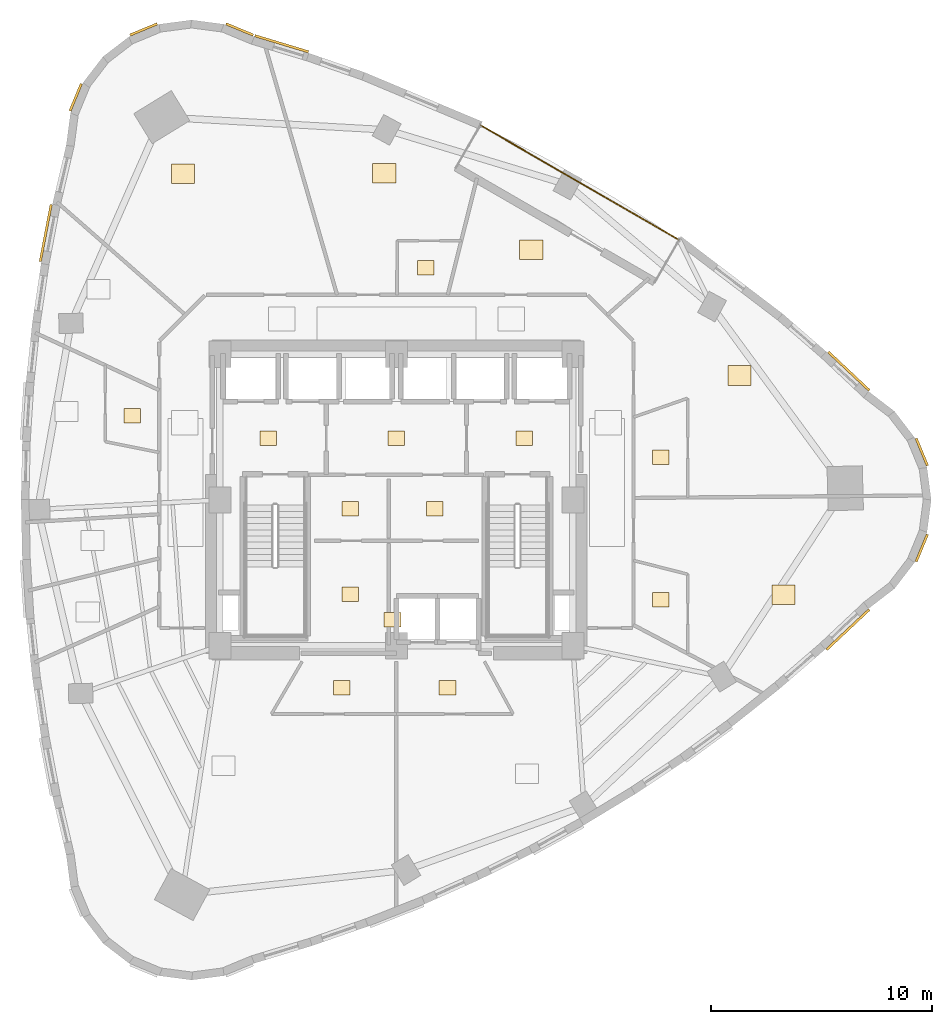
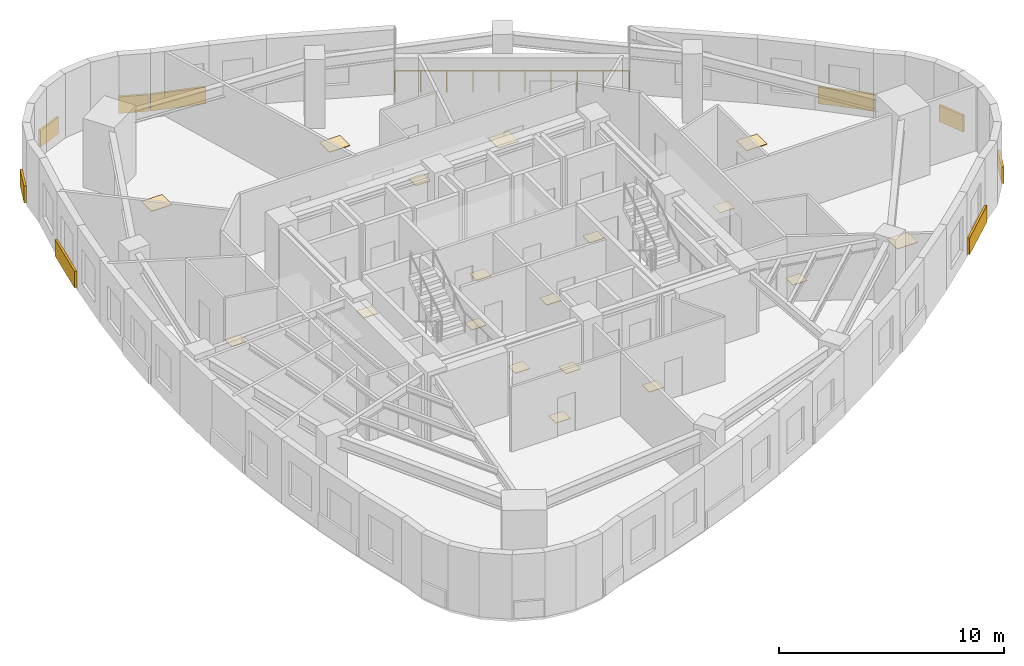
# One storey, part 13 of 13: 27 coverings, 1 railing.
"""IFC4 building model written with IfcOpenShell, lengths in metres."""

from ifc_helpers import new_model, si_unit, direction, frame, origin, origin_2d, place, context, subcontext, project, spatial, rectangle, circle, extrude, material, layer, layer_set, type_object, element, save


model = new_model("IFC4")

# Units and contexts
model_context = context("Model", 3, precision=1e-05, world=origin(), true_north=direction((0.0, 1.0)))
body_context = subcontext(model_context, "Body", "Model", "MODEL_VIEW")
ifc_project = project(units=[si_unit("LENGTHUNIT", "METRE"), si_unit("AREAUNIT", "SQUARE_METRE"), si_unit("VOLUMEUNIT", "CUBIC_METRE"), si_unit("PLANEANGLEUNIT", "RADIAN"), si_unit("MASSUNIT", "GRAM", prefix="KILO")], contexts=[model_context])

# Site, building, storey
site_placement = place(None, origin())
site = spatial("IfcSite", under=ifc_project, at=site_placement, CompositionType="ELEMENT")
building_placement = place(site_placement, origin())
building = spatial("IfcBuilding", under=site, at=building_placement, Name="Ndelora Gate Hotel", CompositionType="ELEMENT")
storey_placement = place(building_placement, frame((0.0, 0.0, 123.5)))
storey = spatial("IfcBuildingStorey", under=building, at=storey_placement, Name="L30", CompositionType="ELEMENT", Elevation=123.5)

# Coverings
ifc_material_1 = material(Name="Terracotta Fired Clay Brick Slip Cladding", Category="masonry")
ifc_layer_1 = layer(ifc_material_1, 0.110107421875)
ifc_layer_set_1 = layer_set([ifc_layer_1], Name="Terracotta Fired Clay Brick Slip Cladding")
covering_type_1 = type_object("IfcCoveringType", Name="COV-CLAD-BRK", PredefinedType="CLADDING", material=ifc_layer_set_1)
for number, where, z_axis, x_axis, name in (
    (1, (-7.104248046875, 21.327392578125, 0.10009765625), (0.0, 0.0, 1.0), (-0.923879532511, 0.382683432365, 0.0), "L30 Rounded-Corner Brick Cladding Band 1"),
    (2, (-11.456298828125, 21.327392578125, 0.10009765625), (0.0, 0.0, 1.0), (0.923879532511, 0.382683432365, 0.0), "L30 Rounded-Corner Brick Cladding Band 4"),
    (3, (-14.53369140625, 18.249755859375, 0.10009765625), (0.0, 0.0, 1.0), (0.382683432365, 0.923879532511, 0.0), "L30 Rounded-Corner Brick Cladding Band 7"),
):
    element("IfcCovering", number, at=place(storey_placement, frame(where, z_axis=z_axis, x_axis=x_axis)), inside=storey, type_object=covering_type_1, Name=name, PredefinedType="CLADDING", context=body_context, shape_type="SweptSolid", body=[
        extrude(rectangle(XDim=1.3359375, YDim=0.110107421875, at=origin_2d()), origin(), (0.0, 0.0, 1.0), 0.89990234375),
    ])
covering_1_placement = place(storey_placement, frame((-15.89208984375, 12.09912109375, 0.10009765625), z_axis=(0.0, 0.0, 1.0), x_axis=(0.187895613278, 0.982189003456, 0.0)))
element("IfcCovering", 4, at=covering_1_placement, inside=storey, type_object=covering_type_1, Name="L30 Rounded-Corner Brick Cladding Band 10", PredefinedType="CLADDING", context=body_context, shape_type="SweptSolid", body=[
    extrude(rectangle(XDim=2.6279296875, YDim=0.110107421875, at=origin_2d()), origin(), (0.0, 0.0, 1.0), 0.89990234375),
])
covering_2_placement = place(storey_placement, frame((20.466552734375, -5.87451171875, 0.10009765625), z_axis=(0.0, 0.0, 1.0), x_axis=(0.729446353773, 0.684038023042, 0.0)))
element("IfcCovering", 5, at=covering_2_placement, inside=storey, type_object=covering_type_1, Name="L30 Rounded-Corner Brick Cladding Band 40", PredefinedType="CLADDING", context=body_context, shape_type="SweptSolid", body=[
    extrude(rectangle(XDim=2.65087890625, YDim=0.110107421875, at=origin_2d()), origin(), (0.0, 0.0, 1.0), 0.89990234375),
])
for number, where, z_axis, x_axis, name in (
    (6, (23.81396484375, -2.176025390625, 0.10009765625), (0.0, 0.0, 1.0), (0.382683432365, 0.923879532511, 0.0), "L30 Rounded-Corner Brick Cladding Band 43"),
    (7, (23.81396484375, 2.176025390625, 0.10009765625), (0.0, 0.0, 1.0), (-0.382683432365, 0.923879532511, 0.0), "L30 Rounded-Corner Brick Cladding Band 46"),
):
    element("IfcCovering", number, at=place(storey_placement, frame(where, z_axis=z_axis, x_axis=x_axis)), inside=storey, type_object=covering_type_1, Name=name, PredefinedType="CLADDING", context=body_context, shape_type="SweptSolid", body=[
        extrude(rectangle(XDim=1.3359375, YDim=0.110107421875, at=origin_2d()), origin(), (0.0, 0.0, 1.0), 0.89990234375),
    ])
for number, where, z_axis, x_axis, name in (
    (8, (20.507568359375, 5.837646484375, 0.10009765625), (0.0, 0.0, 1.0), (-0.72884914031, 0.684674324529, 0.0), "L30 Rounded-Corner Brick Cladding Band 49"),
    (9, (-5.1982421875, 20.6787109375, 0.10009765625), (0.0, 0.0, 1.0), (-0.957369928516, 0.288864708771, 0.0), "L30 Rounded-Corner Brick Cladding Band 58"),
):
    element("IfcCovering", number, at=place(storey_placement, frame(where, z_axis=z_axis, x_axis=x_axis)), inside=storey, type_object=covering_type_1, Name=name, PredefinedType="CLADDING", context=body_context, shape_type="SweptSolid", body=[
        extrude(rectangle(XDim=2.5419921875, YDim=0.110107421875, at=origin_2d()), origin(), (0.0, 0.0, 1.0), 0.89990234375),
    ])
ifc_material_2 = material(Name="Engineered Highland Oak Parquet", Category="wood")
ifc_layer_2 = layer(ifc_material_2, 0.030029296875)
ifc_layer_set_2 = layer_set([ifc_layer_2], Name="Engineered Highland Oak Parquet")
covering_type_2 = type_object("IfcCoveringType", Name="COV-FLR-PARQ", PredefinedType="FLOORING", material=ifc_layer_set_2)
for number, where, z_axis, x_axis, name in (
    (10, (17.547119140625, -4.2958984375, 0.0), (0.0, 0.0, 1.0), (1.0, 0.0, 0.0), "L30 Club Twin Junior Suite 3303 Oak Parquet Flooring"),
    (11, (15.55517578125, 5.637939453125, 0.0), (0.0, 0.0, 1.0), (1.0, 0.0, 0.0), "L30 Grand Club Suite 3304 Oak Parquet Flooring"),
    (12, (6.1103515625, 11.340087890625, 0.0), (0.0, 0.0, 1.0), (1.0, 0.0, 0.0), "L30 Sky Garden Tea Dining Room Oak Parquet Flooring"),
    (13, (-0.545654296875, 14.807861328125, 0.0), (0.0, 0.0, 1.0), (1.0, 0.0, 0.0), "L30 Club Executive Suite 3305 Oak Parquet Flooring"),
    (14, (-9.677490234375, 14.789794921875, 0.0), (0.0, 0.0, 1.0), (1.0, 0.0, 0.0), "L30 Private Club Dining Room Oak Parquet Flooring"),
):
    element("IfcCovering", number, at=place(storey_placement, frame(where, z_axis=z_axis, x_axis=x_axis)), inside=storey, type_object=covering_type_2, Name=name, PredefinedType="FLOORING", context=body_context, shape_type="SweptSolid", body=[
        extrude(rectangle(XDim=1.050048828125, YDim=0.89990234375, at=origin_2d()), origin(), (0.0, 0.0, 1.0), 0.030029296875),
    ])
ifc_material_3 = material(Name="Non-Slip Porcelain Wet-Room Tile", Category="ceramic")
ifc_layer_3 = layer(ifc_material_3, 0.02490234375)
ifc_layer_set_3 = layer_set([ifc_layer_3], Name="Non-Slip Porcelain Wet-Room Tile")
covering_type_3 = type_object("IfcCoveringType", Name="COV-FLR-TILE", PredefinedType="FLOORING", material=ifc_layer_set_3)
for number, where, z_axis, x_axis, name in (
    (15, (-5.800048828125, 2.800048828125, 0.0), (0.0, 0.0, 1.0), (1.0, 0.0, 0.0), "L30 Firefighting Lift Lobby West Porcelain Tile Flooring"),
    (16, (5.800048828125, 2.800048828125, 0.0), (0.0, 0.0, 1.0), (1.0, 0.0, 0.0), "L30 Firefighting Lift Lobby East Porcelain Tile Flooring"),
    (17, (0.0, 2.800048828125, 0.0), (0.0, 0.0, 1.0), (1.0, 0.0, 0.0), "L30 Central Passenger Lift Lobby Porcelain Tile Flooring"),
    (18, (-2.10009765625, -0.39990234375, 0.0), (0.0, 0.0, 1.0), (1.0, 0.0, 0.0), "L30 Core Electrical Closet Porcelain Tile Flooring"),
    (19, (1.75, -0.39990234375, 0.0), (0.0, 0.0, 1.0), (1.0, 0.0, 0.0), "L30 Comms Patching Store Porcelain Tile Flooring"),
    (20, (-2.10009765625, -4.27490234375, 0.0), (0.0, 0.0, 1.0), (1.0, 0.0, 0.0), "L30 Valet Laundry Store Porcelain Tile Flooring"),
    (21, (-0.175048828125, -5.429931640625, 0.0), (0.0, 0.0, 1.0), (1.0, 0.0, 0.0), "L30 Housekeeping Reserve Store Porcelain Tile Flooring"),
    (22, (-2.47998046875, -8.510009765625, 0.0), (0.0, 0.0, 1.0), (1.0, 0.0, 0.0), "L30 En-suite Bathroom 3301 Porcelain Tile Flooring"),
    (23, (2.318359375, -8.510009765625, 0.0), (0.0, 0.0, 1.0), (1.0, 0.0, 0.0), "L30 En-suite Bathroom 3302 Porcelain Tile Flooring"),
    (24, (11.97509765625, -4.519775390625, 0.0), (0.0, 0.0, 1.0), (1.0, 0.0, 0.0), "L30 En-suite Bathroom 3303 Porcelain Tile Flooring"),
    (25, (11.97509765625, 1.939697265625, 0.0), (0.0, 0.0, 1.0), (1.0, 0.0, 0.0), "L30 En-suite Bathroom 3304 Porcelain Tile Flooring"),
    (26, (1.333740234375, 10.52490234375, 0.0), (0.0, 0.0, 1.0), (1.0, 0.0, 0.0), "L30 En-suite Bathroom 3305 Porcelain Tile Flooring"),
    (27, (-11.97509765625, 3.8154296875, 0.0), (0.0, 0.0, 1.0), (1.0, 0.0, 0.0), "L30 En-suite Bathroom 3306 Porcelain Tile Flooring"),
):
    element("IfcCovering", number, at=place(storey_placement, frame(where, z_axis=z_axis, x_axis=x_axis)), inside=storey, type_object=covering_type_3, Name=name, PredefinedType="FLOORING", context=body_context, shape_type="SweptSolid", body=[
        extrude(rectangle(XDim=0.75, YDim=0.64990234375, at=origin_2d()), origin(), (0.0, 0.0, 1.0), 0.02490234375),
    ])

# Railing
ifc_material_4 = material(Name="Laminated Safety Glass and Bronze Top Rail", Category="glass")
ifc_layer_4 = layer(ifc_material_4, 0.070068359375)
ifc_layer_set_4 = layer_set([ifc_layer_4], Name="Laminated Safety Glass and Bronze Top Rail")
railing_type = type_object("IfcRailingType", Name="RL-BAL-1150", PredefinedType="BALUSTRADE", material=ifc_layer_set_4)
railing_placement = place(storey_placement, frame((12.81103515625, 11.78955078125, 0.0)))
element("IfcRailing", 28, at=railing_placement, inside=storey, type_object=railing_type, Name="L30 Sky-Garden Loggia Terrace Balustrade", PredefinedType="BALUSTRADE", context=body_context, shape_type="SweptSolid", body=[
    extrude(circle(Radius=0.02392578125, at=origin_2d()), frame((0.0, 0.0, 1.1357421875), z_axis=(-0.866025696342, 0.499999493275, 0.0), x_axis=(-0.499999493275, -0.866025696342, 0.0)), (0.0, 0.0, 1.0), 10.39990234375),
    extrude(circle(Radius=0.02099609375, at=origin_2d()), origin(), (0.0, 0.0, 1.0), 1.11181640625),
    extrude(circle(Radius=0.02099609375, at=origin_2d()), frame((-1.000732421875, 0.577880859375, 0.0)), (0.0, 0.0, 1.0), 1.11181640625),
    extrude(circle(Radius=0.02099609375, at=origin_2d()), frame((-2.00146484375, 1.155517578125, 0.0)), (0.0, 0.0, 1.0), 1.11181640625),
    extrude(circle(Radius=0.02099609375, at=origin_2d()), frame((-3.002197265625, 1.7333984375, 0.0)), (0.0, 0.0, 1.0), 1.11181640625),
    extrude(circle(Radius=0.02099609375, at=origin_2d()), frame((-4.0029296875, 2.31103515625, 0.0)), (0.0, 0.0, 1.0), 1.11181640625),
    extrude(circle(Radius=0.02099609375, at=origin_2d()), frame((-5.003662109375, 2.888916015625, 0.0)), (0.0, 0.0, 1.0), 1.11181640625),
    extrude(circle(Radius=0.02099609375, at=origin_2d()), frame((-6.00439453125, 3.466552734375, 0.0)), (0.0, 0.0, 1.0), 1.11181640625),
    extrude(circle(Radius=0.02099609375, at=origin_2d()), frame((-7.005126953125, 4.04443359375, 0.0)), (0.0, 0.0, 1.0), 1.11181640625),
    extrude(circle(Radius=0.02099609375, at=origin_2d()), frame((-8.005859375, 4.6220703125, 0.0)), (0.0, 0.0, 1.0), 1.11181640625),
    extrude(circle(Radius=0.02099609375, at=origin_2d()), frame((-9.006591796875, 5.199951171875, 0.0)), (0.0, 0.0, 1.0), 1.11181640625),
])

save(model, "model.ifc")
